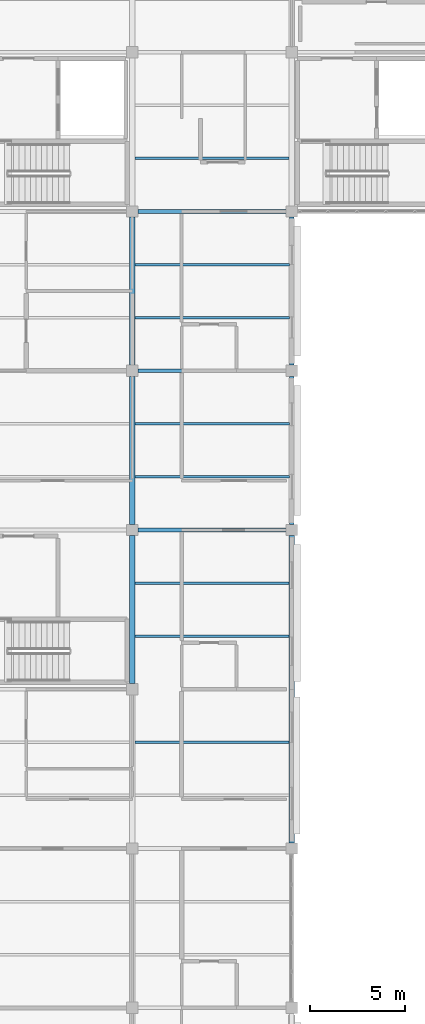
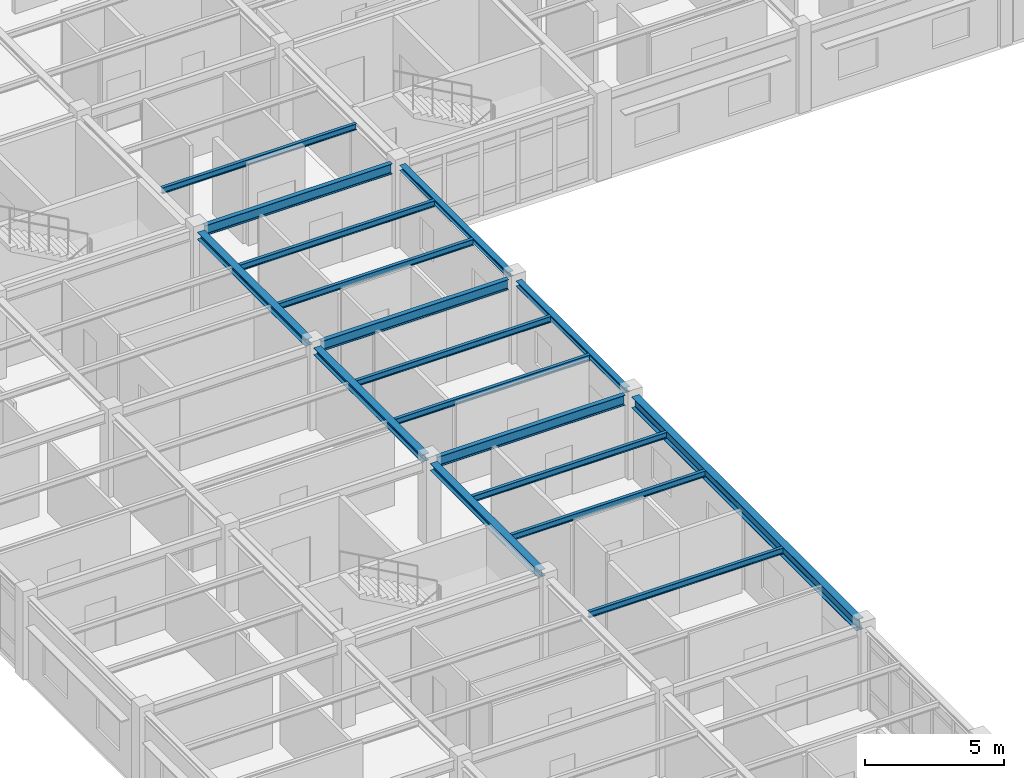
# One storey, part 28 of 70: 17 beams.
"""IFC4 building model written with IfcOpenShell, lengths in metres."""

from ifc_helpers import new_model, si_unit, direction, frame, origin, origin_2d, place, context, subcontext, project, spatial, i_section, extrude, material, material_profile, profile_set, type_object, element, save


model = new_model("IFC4")

# Units and contexts
model_context = context("Model", 3, precision=1e-05, world=origin(), true_north=direction((0.0, 1.0)))
body_context = subcontext(model_context, "Body", "Model", "MODEL_VIEW")
ifc_project = project(units=[si_unit("LENGTHUNIT", "METRE"), si_unit("AREAUNIT", "SQUARE_METRE"), si_unit("VOLUMEUNIT", "CUBIC_METRE"), si_unit("PLANEANGLEUNIT", "RADIAN"), si_unit("MASSUNIT", "GRAM", prefix="KILO")], contexts=[model_context])

# Site, building, storey
site_placement = place(None, origin())
site = spatial("IfcSite", under=ifc_project, at=site_placement, CompositionType="ELEMENT")
building_placement = place(site_placement, origin())
building = spatial("IfcBuilding", under=site, at=building_placement, Name="Bramfleet General Hospital", CompositionType="ELEMENT")
storey_placement = place(building_placement, frame((0.0, 0.0, 22.5)))
storey = spatial("IfcBuildingStorey", under=building, at=storey_placement, Name="L05", CompositionType="ELEMENT", Elevation=22.5)

# Beams
ifc_material = material(Name="Steel S355", Category="steel")
ifc_material_profile_1 = material_profile(ifc_material, i_section(OverallWidth=0.239990234375, OverallDepth=0.22998046875, WebThickness=0.007568359375, FlangeThickness=0.011962890625, FilletRadius=0.02099609375, at=origin_2d()), Name="HEA 240")
ifc_profile_set_1 = profile_set([ifc_material_profile_1], Name="Steel S355")
beam_type_1 = type_object("IfcBeamType", Name="BM-HEA240", PredefinedType="SPANDREL", material=ifc_profile_set_1)
for number, where, z_axis, x_axis, name in (
    (1, (117.60009765625, 75.89990234375, 3.5048828125), (0.0, 1.0, 0.0), (-1.0, 0.0, 0.0), "L05 Grid Beam Y 14-09"),
    (2, (117.60009765625, 84.300048828125, 3.5048828125), (0.0, 1.0, 0.0), (-1.0, 0.0, 0.0), "L05 Grid Beam Y 14-10"),
):
    element("IfcBeam", number, at=place(storey_placement, frame(where, z_axis=z_axis, x_axis=x_axis)), inside=storey, type_object=beam_type_1, Name=name, PredefinedType="SPANDREL", context=body_context, shape_type="SweptSolid", body=[
        extrude(i_section(OverallWidth=0.239990234375, OverallDepth=0.22998046875, WebThickness=0.007568359375, FlangeThickness=0.011962890625, FilletRadius=0.02099609375, at=origin_2d()), origin(), (0.0, 0.0, 1.0), 7.800048828125),
    ])
ifc_material_profile_2 = material_profile(ifc_material, i_section(OverallWidth=0.300048828125, OverallDepth=0.31005859375, WebThickness=0.009033203125, FlangeThickness=0.015380859375, FilletRadius=0.027099609375, at=origin_2d()), Name="HEA 320")
ifc_profile_set_2 = profile_set([ifc_material_profile_2], Name="Steel S355")
beam_type_2 = type_object("IfcBeamType", Name="BM-HEA320", PredefinedType="BEAM", material=ifc_profile_set_2)
for number, where, z_axis, x_axis, name in (
    (3, (109.199951171875, 67.5, 3.465087890625), (0.0, 1.0, 0.0), (-1.0, 0.0, 0.0), "L05 Grid Beam Y 13-08"),
    (4, (109.199951171875, 75.89990234375, 3.465087890625), (0.0, 1.0, 0.0), (-1.0, 0.0, 0.0), "L05 Grid Beam Y 13-09"),
    (5, (109.199951171875, 84.300048828125, 3.465087890625), (0.0, 1.0, 0.0), (-1.0, 0.0, 0.0), "L05 Grid Beam Y 13-10"),
):
    element("IfcBeam", number, at=place(storey_placement, frame(where, z_axis=z_axis, x_axis=x_axis)), inside=storey, type_object=beam_type_2, Name=name, PredefinedType="BEAM", context=body_context, shape_type="SweptSolid", body=[
        extrude(i_section(OverallWidth=0.300048828125, OverallDepth=0.31005859375, WebThickness=0.009033203125, FlangeThickness=0.015380859375, FilletRadius=0.027099609375, at=origin_2d()), origin(), (0.0, 0.0, 1.0), 7.800048828125),
    ])
ifc_material_profile_3 = material_profile(ifc_material, i_section(OverallWidth=0.300048828125, OverallDepth=0.5, WebThickness=0.014404296875, FlangeThickness=0.028076171875, FilletRadius=0.027099609375, at=origin_2d()), Name="HEB 500")
ifc_profile_set_3 = profile_set([ifc_material_profile_3], Name="Steel S355")
beam_type_3 = type_object("IfcBeamType", Name="BM-HEB500", PredefinedType="BEAM", material=ifc_profile_set_3)
beam_1_placement = place(storey_placement, frame((117.60009765625, 59.10009765625, 3.3701171875), z_axis=(0.0, 1.0, 0.0), x_axis=(-1.0, 0.0, 0.0)))
element("IfcBeam", 6, at=beam_1_placement, inside=storey, type_object=beam_type_3, Name="L05 Long-Span Edge Girder Y 14-07..09", PredefinedType="BEAM", context=body_context, shape_type="SweptSolid", body=[
    extrude(i_section(OverallWidth=0.300048828125, OverallDepth=0.5, WebThickness=0.014404296875, FlangeThickness=0.028076171875, FilletRadius=0.027099609375, at=origin_2d()), origin(), (0.0, 0.0, 1.0), 16.199951171875),
])
ifc_material_profile_4 = material_profile(ifc_material, i_section(OverallWidth=0.135009765625, OverallDepth=0.27001953125, WebThickness=0.006591796875, FlangeThickness=0.01025390625, FilletRadius=0.014892578125, at=origin_2d()), Name="IPE 270")
ifc_profile_set_4 = profile_set([ifc_material_profile_4], Name="Steel S355")
beam_type_4 = type_object("IfcBeamType", Name="BM-IPE270", PredefinedType="JOIST", material=ifc_profile_set_4)
for number, where, z_axis, x_axis, name in (
    (7, (109.35009765625, 64.39990234375, 3.485107421875), (1.0, 0.0, 0.0), (0.0, 1.0, 0.0), "L05 Secondary Joist 13-07-2"),
    (8, (109.35009765625, 70.0, 3.485107421875), (1.0, 0.0, 0.0), (0.0, 1.0, 0.0), "L05 Secondary Joist 13-08-1"),
    (9, (109.35009765625, 72.800048828125, 3.485107421875), (1.0, 0.0, 0.0), (0.0, 1.0, 0.0), "L05 Secondary Joist 13-08-2"),
):
    element("IfcBeam", number, at=place(storey_placement, frame(where, z_axis=z_axis, x_axis=x_axis)), inside=storey, type_object=beam_type_4, Name=name, PredefinedType="JOIST", context=body_context, shape_type="SweptSolid", body=[
        extrude(i_section(OverallWidth=0.135009765625, OverallDepth=0.27001953125, WebThickness=0.006591796875, FlangeThickness=0.01025390625, FilletRadius=0.014892578125, at=origin_2d()), origin(), (0.0, 0.0, 1.0), 8.099853515625),
    ])
for number, where, z_axis, x_axis, name in (
    (10, (109.35009765625, 78.39990234375, 3.485107421875), (1.0, 0.0, 0.0), (0.0, 1.0, 0.0), "L05 Secondary Joist 13-09-1"),
    (11, (109.35009765625, 81.199951171875, 3.485107421875), (1.0, 0.0, 0.0), (0.0, 1.0, 0.0), "L05 Secondary Joist 13-09-2"),
    (12, (109.35009765625, 86.800048828125, 3.485107421875), (1.0, 0.0, 0.0), (0.0, 1.0, 0.0), "L05 Secondary Joist 13-10-1"),
    (13, (109.35009765625, 89.60009765625, 3.485107421875), (1.0, 0.0, 0.0), (0.0, 1.0, 0.0), "L05 Secondary Joist 13-10-2"),
):
    element("IfcBeam", number, at=place(storey_placement, frame(where, z_axis=z_axis, x_axis=x_axis)), inside=storey, type_object=beam_type_4, Name=name, PredefinedType="JOIST", context=body_context, shape_type="SweptSolid", body=[
        extrude(i_section(OverallWidth=0.135009765625, OverallDepth=0.27001953125, WebThickness=0.006591796875, FlangeThickness=0.01025390625, FilletRadius=0.014892578125, at=origin_2d()), origin(), (0.0, 0.0, 1.0), 8.1298828125),
    ])
beam_2_placement = place(storey_placement, frame((109.35009765625, 95.199951171875, 3.485107421875), z_axis=(1.0, 0.0, 0.0), x_axis=(0.0, 1.0, 0.0)))
element("IfcBeam", 14, at=beam_2_placement, inside=storey, type_object=beam_type_4, Name="L05 Secondary Joist 13-11-1", PredefinedType="JOIST", context=body_context, shape_type="SweptSolid", body=[
    extrude(i_section(OverallWidth=0.135009765625, OverallDepth=0.27001953125, WebThickness=0.006591796875, FlangeThickness=0.01025390625, FilletRadius=0.014892578125, at=origin_2d()), origin(), (0.0, 0.0, 1.0), 8.099853515625),
])
ifc_material_profile_5 = material_profile(ifc_material, i_section(OverallWidth=0.18994140625, OverallDepth=0.449951171875, WebThickness=0.009521484375, FlangeThickness=0.0146484375, FilletRadius=0.02099609375, at=origin_2d()), Name="IPE 450")
ifc_profile_set_5 = profile_set([ifc_material_profile_5], Name="Steel S355")
beam_type_5 = type_object("IfcBeamType", Name="BM-IPE450", PredefinedType="BEAM", material=ifc_profile_set_5)
for number, where, z_axis, x_axis, name in (
    (15, (109.5, 75.60009765625, 3.39501953125), (1.0, 0.0, 0.0), (0.0, 1.0, 0.0), "L05 Grid Beam X 13-09"),
    (16, (109.5, 84.0, 3.39501953125), (1.0, 0.0, 0.0), (0.0, 1.0, 0.0), "L05 Grid Beam X 13-10"),
    (17, (109.5, 92.39990234375, 3.39501953125), (1.0, 0.0, 0.0), (0.0, 1.0, 0.0), "L05 Grid Beam X 13-11"),
):
    element("IfcBeam", number, at=place(storey_placement, frame(where, z_axis=z_axis, x_axis=x_axis)), inside=storey, type_object=beam_type_5, Name=name, PredefinedType="BEAM", context=body_context, shape_type="SweptSolid", body=[
        extrude(i_section(OverallWidth=0.18994140625, OverallDepth=0.449951171875, WebThickness=0.009521484375, FlangeThickness=0.0146484375, FilletRadius=0.02099609375, at=origin_2d()), origin(), (0.0, 0.0, 1.0), 7.800048828125),
    ])

save(model, "model.ifc")
